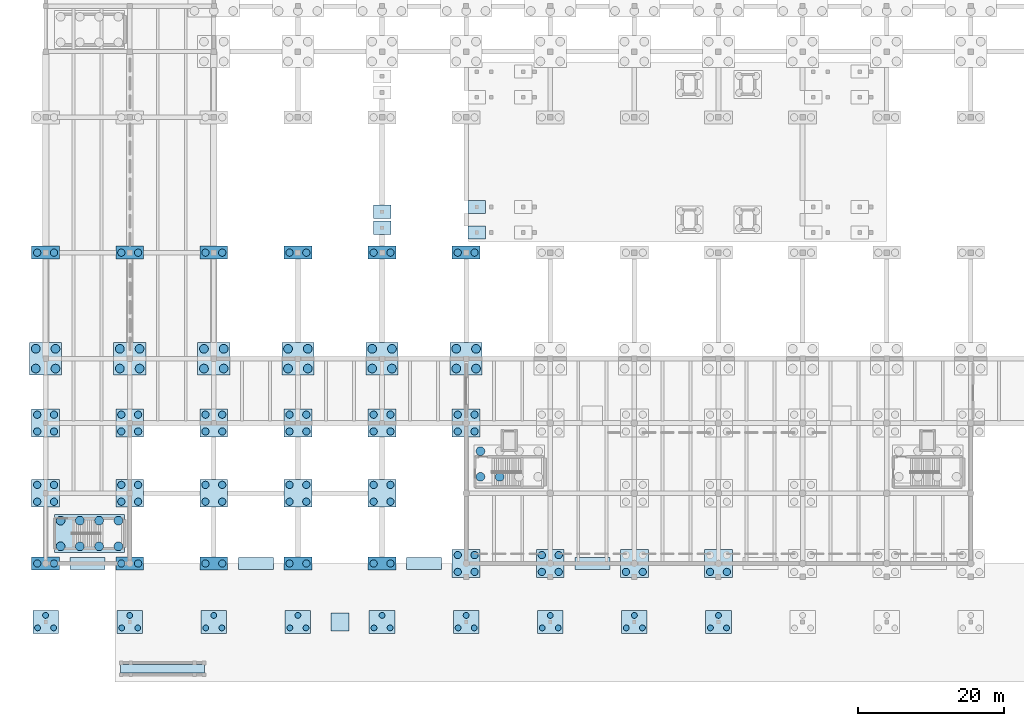
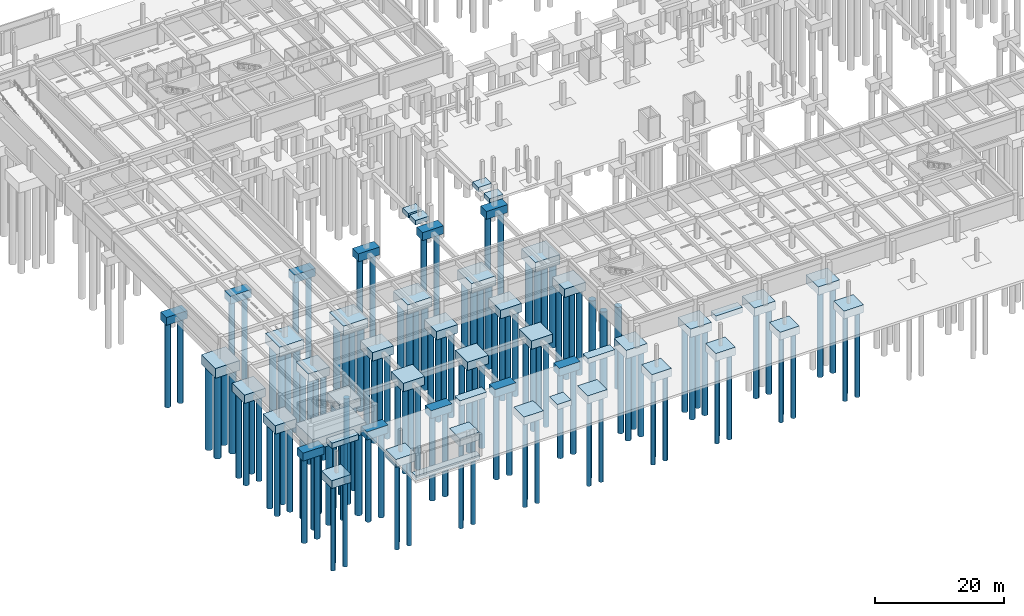
# One storey, part 1 of 28: 140 piles, 52 footings.
"""IFC4 building model written with IfcOpenShell, lengths in metres."""

from ifc_helpers import new_model, si_unit, direction, frame, origin, origin_2d, place, context, subcontext, project, spatial, rectangle, circle, extrude, material, material_profile, profile_set, type_object, element, save


model = new_model("IFC4")

# Units and contexts
model_context = context("Model", 3, precision=1e-05, world=origin(), true_north=direction((0.0, 1.0)))
body_context = subcontext(model_context, "Body", "Model", "MODEL_VIEW")
ifc_project = project(units=[si_unit("LENGTHUNIT", "METRE"), si_unit("AREAUNIT", "SQUARE_METRE"), si_unit("VOLUMEUNIT", "CUBIC_METRE"), si_unit("PLANEANGLEUNIT", "RADIAN"), si_unit("MASSUNIT", "GRAM", prefix="KILO")], contexts=[model_context])

# Site, building, storey
site_placement = place(None, origin())
site = spatial("IfcSite", under=ifc_project, at=site_placement, CompositionType="ELEMENT")
building_placement = place(site_placement, origin())
building = spatial("IfcBuilding", under=site, at=building_placement, Name="Ologun Quay Terminus", CompositionType="ELEMENT")
storey_placement = place(building_placement, frame((0.0, 0.0, -8.39990234375)))
storey = spatial("IfcBuildingStorey", under=building, at=storey_placement, Name="B02", CompositionType="ELEMENT", Elevation=-8.39990234375)

# Footings
ifc_material_1 = material(Name="Concrete C35/45", Category="concrete")
footing_type_1 = type_object("IfcFootingType", Name="Basement Retaining Strip Footing 1600x1000", PredefinedType="STRIP_FOOTING", material=ifc_material_1)
for number, where, z_axis, x_axis, name in (
    (1, (5.75, 8.0, -1.0), (0.0, 0.0, 1.0), (1.0, 0.0, 0.0), "SF3 Strip Footing Bay 1"),
    (2, (28.75, 8.0, -1.0), (0.0, 0.0, 1.0), (1.0, 0.0, 0.0), "SF3 Strip Footing Bay 3"),
    (3, (51.75, 8.0, -1.0), (0.0, 0.0, 1.0), (1.0, 0.0, 0.0), "SF3 Strip Footing Bay 5"),
    (4, (74.75, 8.0, -1.0), (0.0, 0.0, 1.0), (1.0, 0.0, 0.0), "SF3 Strip Footing Bay 7"),
):
    element("IfcFooting", number, at=place(storey_placement, frame(where, z_axis=z_axis, x_axis=x_axis)), inside=storey, type_object=footing_type_1, Name=name, PredefinedType="STRIP_FOOTING", context=body_context, shape_type="SweptSolid", body=[
        extrude(rectangle(XDim=4.800048828125, YDim=1.60009765625, at=origin_2d()), origin(), (0.0, 0.0, 1.0), 1.0),
    ])

# Piles
ifc_material_2 = material(Name="Concrete C35/45", Category="concrete")
ifc_material_profile_1 = material_profile(ifc_material_2, circle(Radius=0.5, at=origin_2d()), Name="PILE D1000")
ifc_profile_set_1 = profile_set([ifc_material_profile_1], Name="Concrete C35/45")
pile_type_1 = type_object("IfcPileType", Name="Bored Concrete Pile D1000", PredefinedType="BORED", material=ifc_profile_set_1)
for number, where, z_axis, x_axis, name in (
    (5, (-1.14990234375, 8.0, -1.400146484375), (0.0, 0.0, -1.0), (1.0, 0.0, 0.0), "P2 Pile FND-1-B-01"),
    (6, (1.14990234375, 8.0, -1.400146484375), (0.0, 0.0, -1.0), (1.0, 0.0, 0.0), "P2 Pile FND-1-B-02"),
):
    element("IfcPile", number, at=place(storey_placement, frame(where, z_axis=z_axis, x_axis=x_axis)), inside=storey, type_object=pile_type_1, Name=name, PredefinedType="BORED", context=body_context, shape_type="SweptSolid", body=[
        extrude(circle(Radius=0.5, at=origin_2d()), origin(), (0.0, 0.0, 1.0), 16.199951171875),
    ])
for number, where, z_axis, x_axis, name in (
    (7, (-1.14990234375, 16.449951171875, -1.5), (0.0, 0.0, -1.0), (1.0, 0.0, 0.0), "P2 Pile FND-1-C-01"),
    (8, (1.14990234375, 16.449951171875, -1.5), (0.0, 0.0, -1.0), (1.0, 0.0, 0.0), "P2 Pile FND-1-C-02"),
    (9, (-1.14990234375, 18.75, -1.5), (0.0, 0.0, -1.0), (1.0, 0.0, 0.0), "P2 Pile FND-1-C-03"),
    (10, (1.14990234375, 18.75, -1.5), (0.0, 0.0, -1.0), (1.0, 0.0, 0.0), "P2 Pile FND-1-C-04"),
    (11, (-1.14990234375, 26.050048828125, -1.5), (0.0, 0.0, -1.0), (1.0, 0.0, 0.0), "P2 Pile FND-1-D-01"),
    (12, (1.14990234375, 26.050048828125, -1.5), (0.0, 0.0, -1.0), (1.0, 0.0, 0.0), "P2 Pile FND-1-D-02"),
    (13, (-1.14990234375, 28.35009765625, -1.5), (0.0, 0.0, -1.0), (1.0, 0.0, 0.0), "P2 Pile FND-1-D-03"),
    (14, (1.14990234375, 28.35009765625, -1.5), (0.0, 0.0, -1.0), (1.0, 0.0, 0.0), "P2 Pile FND-1-D-04"),
):
    element("IfcPile", number, at=place(storey_placement, frame(where, z_axis=z_axis, x_axis=x_axis)), inside=storey, type_object=pile_type_1, Name=name, PredefinedType="BORED", context=body_context, shape_type="SweptSolid", body=[
        extrude(circle(Radius=0.5, at=origin_2d()), origin(), (0.0, 0.0, 1.0), 16.10009765625),
    ])
for number, where, z_axis, x_axis, name in (
    (15, (-1.14990234375, 50.5, -1.400146484375), (0.0, 0.0, -1.0), (1.0, 0.0, 0.0), "P2 Pile FND-SUB-1-Y50-01"),
    (16, (1.14990234375, 50.5, -1.400146484375), (0.0, 0.0, -1.0), (1.0, 0.0, 0.0), "P2 Pile FND-SUB-1-Y50-02"),
    (17, (10.35009765625, 8.0, -1.400146484375), (0.0, 0.0, -1.0), (1.0, 0.0, 0.0), "P2 Pile FND-2-B-01"),
    (18, (12.64990234375, 8.0, -1.400146484375), (0.0, 0.0, -1.0), (1.0, 0.0, 0.0), "P2 Pile FND-2-B-02"),
):
    element("IfcPile", number, at=place(storey_placement, frame(where, z_axis=z_axis, x_axis=x_axis)), inside=storey, type_object=pile_type_1, Name=name, PredefinedType="BORED", context=body_context, shape_type="SweptSolid", body=[
        extrude(circle(Radius=0.5, at=origin_2d()), origin(), (0.0, 0.0, 1.0), 16.199951171875),
    ])
for number, where, z_axis, x_axis, name in (
    (19, (10.35009765625, 16.449951171875, -1.5), (0.0, 0.0, -1.0), (1.0, 0.0, 0.0), "P2 Pile FND-2-C-01"),
    (20, (12.64990234375, 16.449951171875, -1.5), (0.0, 0.0, -1.0), (1.0, 0.0, 0.0), "P2 Pile FND-2-C-02"),
    (21, (10.35009765625, 18.75, -1.5), (0.0, 0.0, -1.0), (1.0, 0.0, 0.0), "P2 Pile FND-2-C-03"),
    (22, (12.64990234375, 18.75, -1.5), (0.0, 0.0, -1.0), (1.0, 0.0, 0.0), "P2 Pile FND-2-C-04"),
    (23, (10.35009765625, 26.050048828125, -1.5), (0.0, 0.0, -1.0), (1.0, 0.0, 0.0), "P2 Pile FND-2-D-01"),
    (24, (12.64990234375, 26.050048828125, -1.5), (0.0, 0.0, -1.0), (1.0, 0.0, 0.0), "P2 Pile FND-2-D-02"),
    (25, (10.35009765625, 28.35009765625, -1.5), (0.0, 0.0, -1.0), (1.0, 0.0, 0.0), "P2 Pile FND-2-D-03"),
    (26, (12.64990234375, 28.35009765625, -1.5), (0.0, 0.0, -1.0), (1.0, 0.0, 0.0), "P2 Pile FND-2-D-04"),
):
    element("IfcPile", number, at=place(storey_placement, frame(where, z_axis=z_axis, x_axis=x_axis)), inside=storey, type_object=pile_type_1, Name=name, PredefinedType="BORED", context=body_context, shape_type="SweptSolid", body=[
        extrude(circle(Radius=0.5, at=origin_2d()), origin(), (0.0, 0.0, 1.0), 16.10009765625),
    ])
for number, where, z_axis, x_axis, name in (
    (27, (10.35009765625, 50.5, -1.400146484375), (0.0, 0.0, -1.0), (1.0, 0.0, 0.0), "P2 Pile FND-SUB-2-Y50-01"),
    (28, (12.64990234375, 50.5, -1.400146484375), (0.0, 0.0, -1.0), (1.0, 0.0, 0.0), "P2 Pile FND-SUB-2-Y50-02"),
    (29, (21.85009765625, 8.0, -1.400146484375), (0.0, 0.0, -1.0), (1.0, 0.0, 0.0), "P2 Pile FND-3-B-01"),
    (30, (24.14990234375, 8.0, -1.400146484375), (0.0, 0.0, -1.0), (1.0, 0.0, 0.0), "P2 Pile FND-3-B-02"),
):
    element("IfcPile", number, at=place(storey_placement, frame(where, z_axis=z_axis, x_axis=x_axis)), inside=storey, type_object=pile_type_1, Name=name, PredefinedType="BORED", context=body_context, shape_type="SweptSolid", body=[
        extrude(circle(Radius=0.5, at=origin_2d()), origin(), (0.0, 0.0, 1.0), 16.199951171875),
    ])
for number, where, z_axis, x_axis, name in (
    (31, (21.85009765625, 16.449951171875, -1.5), (0.0, 0.0, -1.0), (1.0, 0.0, 0.0), "P2 Pile FND-3-C-01"),
    (32, (24.14990234375, 16.449951171875, -1.5), (0.0, 0.0, -1.0), (1.0, 0.0, 0.0), "P2 Pile FND-3-C-02"),
    (33, (21.85009765625, 18.75, -1.5), (0.0, 0.0, -1.0), (1.0, 0.0, 0.0), "P2 Pile FND-3-C-03"),
    (34, (24.14990234375, 18.75, -1.5), (0.0, 0.0, -1.0), (1.0, 0.0, 0.0), "P2 Pile FND-3-C-04"),
    (35, (21.85009765625, 26.050048828125, -1.5), (0.0, 0.0, -1.0), (1.0, 0.0, 0.0), "P2 Pile FND-3-D-01"),
    (36, (24.14990234375, 26.050048828125, -1.5), (0.0, 0.0, -1.0), (1.0, 0.0, 0.0), "P2 Pile FND-3-D-02"),
    (37, (21.85009765625, 28.35009765625, -1.5), (0.0, 0.0, -1.0), (1.0, 0.0, 0.0), "P2 Pile FND-3-D-03"),
    (38, (24.14990234375, 28.35009765625, -1.5), (0.0, 0.0, -1.0), (1.0, 0.0, 0.0), "P2 Pile FND-3-D-04"),
):
    element("IfcPile", number, at=place(storey_placement, frame(where, z_axis=z_axis, x_axis=x_axis)), inside=storey, type_object=pile_type_1, Name=name, PredefinedType="BORED", context=body_context, shape_type="SweptSolid", body=[
        extrude(circle(Radius=0.5, at=origin_2d()), origin(), (0.0, 0.0, 1.0), 16.10009765625),
    ])
for number, where, z_axis, x_axis, name in (
    (39, (21.85009765625, 50.5, -1.400146484375), (0.0, 0.0, -1.0), (1.0, 0.0, 0.0), "P2 Pile FND-SUB-3-Y50-01"),
    (40, (24.14990234375, 50.5, -1.400146484375), (0.0, 0.0, -1.0), (1.0, 0.0, 0.0), "P2 Pile FND-SUB-3-Y50-02"),
    (41, (33.35009765625, 8.0, -1.400146484375), (0.0, 0.0, -1.0), (1.0, 0.0, 0.0), "P2 Pile FND-4-B-01"),
    (42, (35.64990234375, 8.0, -1.400146484375), (0.0, 0.0, -1.0), (1.0, 0.0, 0.0), "P2 Pile FND-4-B-02"),
):
    element("IfcPile", number, at=place(storey_placement, frame(where, z_axis=z_axis, x_axis=x_axis)), inside=storey, type_object=pile_type_1, Name=name, PredefinedType="BORED", context=body_context, shape_type="SweptSolid", body=[
        extrude(circle(Radius=0.5, at=origin_2d()), origin(), (0.0, 0.0, 1.0), 16.199951171875),
    ])
for number, where, z_axis, x_axis, name in (
    (43, (33.35009765625, 16.449951171875, -1.5), (0.0, 0.0, -1.0), (1.0, 0.0, 0.0), "P2 Pile FND-4-C-01"),
    (44, (35.64990234375, 16.449951171875, -1.5), (0.0, 0.0, -1.0), (1.0, 0.0, 0.0), "P2 Pile FND-4-C-02"),
    (45, (33.35009765625, 18.75, -1.5), (0.0, 0.0, -1.0), (1.0, 0.0, 0.0), "P2 Pile FND-4-C-03"),
    (46, (35.64990234375, 18.75, -1.5), (0.0, 0.0, -1.0), (1.0, 0.0, 0.0), "P2 Pile FND-4-C-04"),
    (47, (33.35009765625, 26.050048828125, -1.5), (0.0, 0.0, -1.0), (1.0, 0.0, 0.0), "P2 Pile FND-4-D-01"),
    (48, (35.64990234375, 26.050048828125, -1.5), (0.0, 0.0, -1.0), (1.0, 0.0, 0.0), "P2 Pile FND-4-D-02"),
    (49, (33.35009765625, 28.35009765625, -1.5), (0.0, 0.0, -1.0), (1.0, 0.0, 0.0), "P2 Pile FND-4-D-03"),
    (50, (35.64990234375, 28.35009765625, -1.5), (0.0, 0.0, -1.0), (1.0, 0.0, 0.0), "P2 Pile FND-4-D-04"),
):
    element("IfcPile", number, at=place(storey_placement, frame(where, z_axis=z_axis, x_axis=x_axis)), inside=storey, type_object=pile_type_1, Name=name, PredefinedType="BORED", context=body_context, shape_type="SweptSolid", body=[
        extrude(circle(Radius=0.5, at=origin_2d()), origin(), (0.0, 0.0, 1.0), 16.10009765625),
    ])
for number, where, z_axis, x_axis, name in (
    (51, (33.35009765625, 50.5, -1.400146484375), (0.0, 0.0, -1.0), (1.0, 0.0, 0.0), "P2 Pile FND-SUB-4-Y50-01"),
    (52, (35.64990234375, 50.5, -1.400146484375), (0.0, 0.0, -1.0), (1.0, 0.0, 0.0), "P2 Pile FND-SUB-4-Y50-02"),
    (53, (44.85009765625, 8.0, -1.400146484375), (0.0, 0.0, -1.0), (1.0, 0.0, 0.0), "P2 Pile FND-5-B-01"),
    (54, (47.14990234375, 8.0, -1.400146484375), (0.0, 0.0, -1.0), (1.0, 0.0, 0.0), "P2 Pile FND-5-B-02"),
):
    element("IfcPile", number, at=place(storey_placement, frame(where, z_axis=z_axis, x_axis=x_axis)), inside=storey, type_object=pile_type_1, Name=name, PredefinedType="BORED", context=body_context, shape_type="SweptSolid", body=[
        extrude(circle(Radius=0.5, at=origin_2d()), origin(), (0.0, 0.0, 1.0), 16.199951171875),
    ])
for number, where, z_axis, x_axis, name in (
    (55, (44.85009765625, 16.449951171875, -1.5), (0.0, 0.0, -1.0), (1.0, 0.0, 0.0), "P2 Pile FND-5-C-01"),
    (56, (47.14990234375, 16.449951171875, -1.5), (0.0, 0.0, -1.0), (1.0, 0.0, 0.0), "P2 Pile FND-5-C-02"),
    (57, (44.85009765625, 18.75, -1.5), (0.0, 0.0, -1.0), (1.0, 0.0, 0.0), "P2 Pile FND-5-C-03"),
    (58, (47.14990234375, 18.75, -1.5), (0.0, 0.0, -1.0), (1.0, 0.0, 0.0), "P2 Pile FND-5-C-04"),
    (59, (44.85009765625, 26.050048828125, -1.5), (0.0, 0.0, -1.0), (1.0, 0.0, 0.0), "P2 Pile FND-5-D-01"),
    (60, (47.14990234375, 26.050048828125, -1.5), (0.0, 0.0, -1.0), (1.0, 0.0, 0.0), "P2 Pile FND-5-D-02"),
    (61, (44.85009765625, 28.35009765625, -1.5), (0.0, 0.0, -1.0), (1.0, 0.0, 0.0), "P2 Pile FND-5-D-03"),
    (62, (47.14990234375, 28.35009765625, -1.5), (0.0, 0.0, -1.0), (1.0, 0.0, 0.0), "P2 Pile FND-5-D-04"),
):
    element("IfcPile", number, at=place(storey_placement, frame(where, z_axis=z_axis, x_axis=x_axis)), inside=storey, type_object=pile_type_1, Name=name, PredefinedType="BORED", context=body_context, shape_type="SweptSolid", body=[
        extrude(circle(Radius=0.5, at=origin_2d()), origin(), (0.0, 0.0, 1.0), 16.10009765625),
    ])
for number, where, z_axis, x_axis, name in (
    (63, (44.85009765625, 50.5, -1.400146484375), (0.0, 0.0, -1.0), (1.0, 0.0, 0.0), "P2 Pile FND-SUB-5-Y50-01"),
    (64, (47.14990234375, 50.5, -1.400146484375), (0.0, 0.0, -1.0), (1.0, 0.0, 0.0), "P2 Pile FND-SUB-5-Y50-02"),
):
    element("IfcPile", number, at=place(storey_placement, frame(where, z_axis=z_axis, x_axis=x_axis)), inside=storey, type_object=pile_type_1, Name=name, PredefinedType="BORED", context=body_context, shape_type="SweptSolid", body=[
        extrude(circle(Radius=0.5, at=origin_2d()), origin(), (0.0, 0.0, 1.0), 16.199951171875),
    ])
for number, where, z_axis, x_axis, name in (
    (65, (56.35009765625, 6.85009765625, -1.5), (0.0, 0.0, -1.0), (1.0, 0.0, 0.0), "P2 Pile FND-6-B-01"),
    (66, (58.64990234375, 6.85009765625, -1.5), (0.0, 0.0, -1.0), (1.0, 0.0, 0.0), "P2 Pile FND-6-B-02"),
    (67, (56.35009765625, 9.14990234375, -1.5), (0.0, 0.0, -1.0), (1.0, 0.0, 0.0), "P2 Pile FND-6-B-03"),
    (68, (58.64990234375, 9.14990234375, -1.5), (0.0, 0.0, -1.0), (1.0, 0.0, 0.0), "P2 Pile FND-6-B-04"),
    (69, (56.35009765625, 26.050048828125, -1.5), (0.0, 0.0, -1.0), (1.0, 0.0, 0.0), "P2 Pile FND-6-D-01"),
    (70, (58.64990234375, 26.050048828125, -1.5), (0.0, 0.0, -1.0), (1.0, 0.0, 0.0), "P2 Pile FND-6-D-02"),
    (71, (56.35009765625, 28.35009765625, -1.5), (0.0, 0.0, -1.0), (1.0, 0.0, 0.0), "P2 Pile FND-6-D-03"),
    (72, (58.64990234375, 28.35009765625, -1.5), (0.0, 0.0, -1.0), (1.0, 0.0, 0.0), "P2 Pile FND-6-D-04"),
):
    element("IfcPile", number, at=place(storey_placement, frame(where, z_axis=z_axis, x_axis=x_axis)), inside=storey, type_object=pile_type_1, Name=name, PredefinedType="BORED", context=body_context, shape_type="SweptSolid", body=[
        extrude(circle(Radius=0.5, at=origin_2d()), origin(), (0.0, 0.0, 1.0), 16.10009765625),
    ])
for number, where, z_axis, x_axis, name in (
    (73, (56.35009765625, 50.5, -1.400146484375), (0.0, 0.0, -1.0), (1.0, 0.0, 0.0), "P2 Pile FND-SUB-6-Y50-01"),
    (74, (58.64990234375, 50.5, -1.400146484375), (0.0, 0.0, -1.0), (1.0, 0.0, 0.0), "P2 Pile FND-SUB-6-Y50-02"),
):
    element("IfcPile", number, at=place(storey_placement, frame(where, z_axis=z_axis, x_axis=x_axis)), inside=storey, type_object=pile_type_1, Name=name, PredefinedType="BORED", context=body_context, shape_type="SweptSolid", body=[
        extrude(circle(Radius=0.5, at=origin_2d()), origin(), (0.0, 0.0, 1.0), 16.199951171875),
    ])
for number, where, z_axis, x_axis, name in (
    (75, (67.85009765625, 6.85009765625, -1.5), (0.0, 0.0, -1.0), (1.0, 0.0, 0.0), "P2 Pile FND-7-B-01"),
    (76, (70.14990234375, 6.85009765625, -1.5), (0.0, 0.0, -1.0), (1.0, 0.0, 0.0), "P2 Pile FND-7-B-02"),
    (77, (67.85009765625, 9.14990234375, -1.5), (0.0, 0.0, -1.0), (1.0, 0.0, 0.0), "P2 Pile FND-7-B-03"),
    (78, (70.14990234375, 9.14990234375, -1.5), (0.0, 0.0, -1.0), (1.0, 0.0, 0.0), "P2 Pile FND-7-B-04"),
    (79, (79.35009765625, 6.85009765625, -1.5), (0.0, 0.0, -1.0), (1.0, 0.0, 0.0), "P2 Pile FND-8-B-01"),
    (80, (81.64990234375, 6.85009765625, -1.5), (0.0, 0.0, -1.0), (1.0, 0.0, 0.0), "P2 Pile FND-8-B-02"),
    (81, (90.85009765625, 6.85009765625, -1.5), (0.0, 0.0, -1.0), (1.0, 0.0, 0.0), "P2 Pile FND-9-B-01"),
    (82, (93.14990234375, 6.85009765625, -1.5), (0.0, 0.0, -1.0), (1.0, 0.0, 0.0), "P2 Pile FND-9-B-02"),
):
    element("IfcPile", number, at=place(storey_placement, frame(where, z_axis=z_axis, x_axis=x_axis)), inside=storey, type_object=pile_type_1, Name=name, PredefinedType="BORED", context=body_context, shape_type="SweptSolid", body=[
        extrude(circle(Radius=0.5, at=origin_2d()), origin(), (0.0, 0.0, 1.0), 16.10009765625),
    ])
ifc_material_3 = material(Name="Concrete C35/45", Category="concrete")
ifc_material_profile_2 = material_profile(ifc_material_3, circle(Radius=0.60009765625, at=origin_2d()), Name="PILE D1200")
ifc_profile_set_2 = profile_set([ifc_material_profile_2], Name="Concrete C35/45")
pile_type_2 = type_object("IfcPileType", Name="Bored Concrete Pile D1200", PredefinedType="BORED", material=ifc_profile_set_2)
for number, where, z_axis, x_axis, name in (
    (83, (2.050048828125, 10.35009765625, -2.0), (0.0, 0.0, -1.0), (1.0, 0.0, 0.0), "P1 Pile FND-SCAP-1-01"),
    (84, (4.683349609375, 10.35009765625, -2.0), (0.0, 0.0, -1.0), (1.0, 0.0, 0.0), "P1 Pile FND-SCAP-1-02"),
    (85, (7.316650390625, 10.35009765625, -2.0), (0.0, 0.0, -1.0), (1.0, 0.0, 0.0), "P1 Pile FND-SCAP-1-03"),
    (86, (9.949951171875, 10.35009765625, -2.0), (0.0, 0.0, -1.0), (1.0, 0.0, 0.0), "P1 Pile FND-SCAP-1-04"),
    (87, (2.050048828125, 13.85009765625, -2.0), (0.0, 0.0, -1.0), (1.0, 0.0, 0.0), "P1 Pile FND-SCAP-1-05"),
    (88, (4.683349609375, 13.85009765625, -2.0), (0.0, 0.0, -1.0), (1.0, 0.0, 0.0), "P1 Pile FND-SCAP-1-06"),
    (89, (7.316650390625, 13.85009765625, -2.0), (0.0, 0.0, -1.0), (1.0, 0.0, 0.0), "P1 Pile FND-SCAP-1-07"),
    (90, (9.949951171875, 13.85009765625, -2.0), (0.0, 0.0, -1.0), (1.0, 0.0, 0.0), "P1 Pile FND-SCAP-1-08"),
    (91, (59.449951171875, 19.85009765625, -2.0), (0.0, 0.0, -1.0), (1.0, 0.0, 0.0), "P1 Pile FND-SCAP-3-01"),
    (92, (62.083251953125, 19.85009765625, -2.0), (0.0, 0.0, -1.0), (1.0, 0.0, 0.0), "P1 Pile FND-SCAP-3-02"),
    (93, (59.449951171875, 23.35009765625, -2.0), (0.0, 0.0, -1.0), (1.0, 0.0, 0.0), "P1 Pile FND-SCAP-3-05"),
):
    element("IfcPile", number, at=place(storey_placement, frame(where, z_axis=z_axis, x_axis=x_axis)), inside=storey, type_object=pile_type_2, Name=name, PredefinedType="BORED", context=body_context, shape_type="SweptSolid", body=[
        extrude(circle(Radius=0.60009765625, at=origin_2d()), origin(), (0.0, 0.0, 1.0), 15.60009765625),
    ])
for number, where, z_axis, x_axis, name in (
    (94, (-1.35009765625, 34.64990234375, -1.75), (0.0, 0.0, -1.0), (1.0, 0.0, 0.0), "P1 Pile FND-1-E-01"),
    (95, (1.35009765625, 34.64990234375, -1.75), (0.0, 0.0, -1.0), (1.0, 0.0, 0.0), "P1 Pile FND-1-E-02"),
    (96, (-1.35009765625, 37.35009765625, -1.75), (0.0, 0.0, -1.0), (1.0, 0.0, 0.0), "P1 Pile FND-1-E-03"),
    (97, (1.35009765625, 37.35009765625, -1.75), (0.0, 0.0, -1.0), (1.0, 0.0, 0.0), "P1 Pile FND-1-E-04"),
    (98, (10.14990234375, 34.64990234375, -1.75), (0.0, 0.0, -1.0), (1.0, 0.0, 0.0), "P1 Pile FND-2-E-01"),
    (99, (12.85009765625, 34.64990234375, -1.75), (0.0, 0.0, -1.0), (1.0, 0.0, 0.0), "P1 Pile FND-2-E-02"),
    (100, (10.14990234375, 37.35009765625, -1.75), (0.0, 0.0, -1.0), (1.0, 0.0, 0.0), "P1 Pile FND-2-E-03"),
    (101, (12.85009765625, 37.35009765625, -1.75), (0.0, 0.0, -1.0), (1.0, 0.0, 0.0), "P1 Pile FND-2-E-04"),
    (102, (21.64990234375, 34.64990234375, -1.75), (0.0, 0.0, -1.0), (1.0, 0.0, 0.0), "P1 Pile FND-3-E-01"),
    (103, (24.35009765625, 34.64990234375, -1.75), (0.0, 0.0, -1.0), (1.0, 0.0, 0.0), "P1 Pile FND-3-E-02"),
    (104, (21.64990234375, 37.35009765625, -1.75), (0.0, 0.0, -1.0), (1.0, 0.0, 0.0), "P1 Pile FND-3-E-03"),
    (105, (24.35009765625, 37.35009765625, -1.75), (0.0, 0.0, -1.0), (1.0, 0.0, 0.0), "P1 Pile FND-3-E-04"),
    (106, (33.14990234375, 34.64990234375, -1.75), (0.0, 0.0, -1.0), (1.0, 0.0, 0.0), "P1 Pile FND-4-E-01"),
    (107, (35.85009765625, 34.64990234375, -1.75), (0.0, 0.0, -1.0), (1.0, 0.0, 0.0), "P1 Pile FND-4-E-02"),
    (108, (33.14990234375, 37.35009765625, -1.75), (0.0, 0.0, -1.0), (1.0, 0.0, 0.0), "P1 Pile FND-4-E-03"),
    (109, (35.85009765625, 37.35009765625, -1.75), (0.0, 0.0, -1.0), (1.0, 0.0, 0.0), "P1 Pile FND-4-E-04"),
    (110, (44.64990234375, 34.64990234375, -1.75), (0.0, 0.0, -1.0), (1.0, 0.0, 0.0), "P1 Pile FND-5-E-01"),
    (111, (47.35009765625, 34.64990234375, -1.75), (0.0, 0.0, -1.0), (1.0, 0.0, 0.0), "P1 Pile FND-5-E-02"),
    (112, (44.64990234375, 37.35009765625, -1.75), (0.0, 0.0, -1.0), (1.0, 0.0, 0.0), "P1 Pile FND-5-E-03"),
    (113, (47.35009765625, 37.35009765625, -1.75), (0.0, 0.0, -1.0), (1.0, 0.0, 0.0), "P1 Pile FND-5-E-04"),
    (114, (56.14990234375, 34.64990234375, -1.75), (0.0, 0.0, -1.0), (1.0, 0.0, 0.0), "P1 Pile FND-6-E-01"),
    (115, (58.85009765625, 34.64990234375, -1.75), (0.0, 0.0, -1.0), (1.0, 0.0, 0.0), "P1 Pile FND-6-E-02"),
    (116, (56.14990234375, 37.35009765625, -1.75), (0.0, 0.0, -1.0), (1.0, 0.0, 0.0), "P1 Pile FND-6-E-03"),
    (117, (58.85009765625, 37.35009765625, -1.75), (0.0, 0.0, -1.0), (1.0, 0.0, 0.0), "P1 Pile FND-6-E-04"),
):
    element("IfcPile", number, at=place(storey_placement, frame(where, z_axis=z_axis, x_axis=x_axis)), inside=storey, type_object=pile_type_2, Name=name, PredefinedType="BORED", context=body_context, shape_type="SweptSolid", body=[
        extrude(circle(Radius=0.60009765625, at=origin_2d()), origin(), (0.0, 0.0, 1.0), 15.85009765625),
    ])
ifc_material_4 = material(Name="Concrete C35/45", Category="concrete")
ifc_material_profile_3 = material_profile(ifc_material_4, circle(Radius=0.39990234375, at=origin_2d()), Name="PILE D800")
ifc_profile_set_3 = profile_set([ifc_material_profile_3], Name="Concrete C35/45")
pile_type_3 = type_object("IfcPileType", Name="Bored Concrete Pile D800", PredefinedType="BORED", material=ifc_profile_set_3)
for number, where, z_axis, x_axis, name in (
    (118, (-1.10009765625, -0.8076171875, -1.400146484375), (0.0, 0.0, -1.0), (1.0, 0.0, 0.0), "P3 Pile FND-1-A-01"),
    (119, (1.10009765625, -0.8076171875, -1.400146484375), (0.0, 0.0, -1.0), (1.0, 0.0, 0.0), "P3 Pile FND-1-A-02"),
    (120, (0.0, 0.902587890625, -1.400146484375), (0.0, 0.0, -1.0), (1.0, 0.0, 0.0), "P3 Pile FND-1-A-03"),
    (121, (10.39990234375, -0.8076171875, -1.400146484375), (0.0, 0.0, -1.0), (1.0, 0.0, 0.0), "P3 Pile FND-2-A-01"),
    (122, (12.60009765625, -0.8076171875, -1.400146484375), (0.0, 0.0, -1.0), (1.0, 0.0, 0.0), "P3 Pile FND-2-A-02"),
    (123, (11.5, 0.902587890625, -1.400146484375), (0.0, 0.0, -1.0), (1.0, 0.0, 0.0), "P3 Pile FND-2-A-03"),
    (124, (21.89990234375, -0.8076171875, -1.400146484375), (0.0, 0.0, -1.0), (1.0, 0.0, 0.0), "P3 Pile FND-3-A-01"),
    (125, (24.10009765625, -0.8076171875, -1.400146484375), (0.0, 0.0, -1.0), (1.0, 0.0, 0.0), "P3 Pile FND-3-A-02"),
    (126, (23.0, 0.902587890625, -1.400146484375), (0.0, 0.0, -1.0), (1.0, 0.0, 0.0), "P3 Pile FND-3-A-03"),
    (127, (33.39990234375, -0.8076171875, -1.400146484375), (0.0, 0.0, -1.0), (1.0, 0.0, 0.0), "P3 Pile FND-4-A-01"),
    (128, (35.60009765625, -0.8076171875, -1.400146484375), (0.0, 0.0, -1.0), (1.0, 0.0, 0.0), "P3 Pile FND-4-A-02"),
    (129, (34.5, 0.902587890625, -1.400146484375), (0.0, 0.0, -1.0), (1.0, 0.0, 0.0), "P3 Pile FND-4-A-03"),
    (130, (44.89990234375, -0.8076171875, -1.400146484375), (0.0, 0.0, -1.0), (1.0, 0.0, 0.0), "P3 Pile FND-5-A-01"),
    (131, (47.10009765625, -0.8076171875, -1.400146484375), (0.0, 0.0, -1.0), (1.0, 0.0, 0.0), "P3 Pile FND-5-A-02"),
    (132, (46.0, 0.902587890625, -1.400146484375), (0.0, 0.0, -1.0), (1.0, 0.0, 0.0), "P3 Pile FND-5-A-03"),
    (133, (56.39990234375, -0.8076171875, -1.400146484375), (0.0, 0.0, -1.0), (1.0, 0.0, 0.0), "P3 Pile FND-6-A-01"),
    (134, (58.60009765625, -0.8076171875, -1.400146484375), (0.0, 0.0, -1.0), (1.0, 0.0, 0.0), "P3 Pile FND-6-A-02"),
    (135, (57.5, 0.902587890625, -1.400146484375), (0.0, 0.0, -1.0), (1.0, 0.0, 0.0), "P3 Pile FND-6-A-03"),
    (136, (67.89990234375, -0.8076171875, -1.400146484375), (0.0, 0.0, -1.0), (1.0, 0.0, 0.0), "P3 Pile FND-7-A-01"),
    (137, (70.10009765625, -0.8076171875, -1.400146484375), (0.0, 0.0, -1.0), (1.0, 0.0, 0.0), "P3 Pile FND-7-A-02"),
    (138, (69.0, 0.902587890625, -1.400146484375), (0.0, 0.0, -1.0), (1.0, 0.0, 0.0), "P3 Pile FND-7-A-03"),
    (139, (79.39990234375, -0.8076171875, -1.400146484375), (0.0, 0.0, -1.0), (1.0, 0.0, 0.0), "P3 Pile FND-8-A-01"),
    (140, (81.60009765625, -0.8076171875, -1.400146484375), (0.0, 0.0, -1.0), (1.0, 0.0, 0.0), "P3 Pile FND-8-A-02"),
    (141, (80.5, 0.902587890625, -1.400146484375), (0.0, 0.0, -1.0), (1.0, 0.0, 0.0), "P3 Pile FND-8-A-03"),
    (142, (90.89990234375, -0.8076171875, -1.400146484375), (0.0, 0.0, -1.0), (1.0, 0.0, 0.0), "P3 Pile FND-9-A-01"),
    (143, (93.10009765625, -0.8076171875, -1.400146484375), (0.0, 0.0, -1.0), (1.0, 0.0, 0.0), "P3 Pile FND-9-A-02"),
    (144, (92.0, 0.902587890625, -1.400146484375), (0.0, 0.0, -1.0), (1.0, 0.0, 0.0), "P3 Pile FND-9-A-03"),
):
    element("IfcPile", number, at=place(storey_placement, frame(where, z_axis=z_axis, x_axis=x_axis)), inside=storey, type_object=pile_type_3, Name=name, PredefinedType="BORED", context=body_context, shape_type="SweptSolid", body=[
        extrude(circle(Radius=0.39990234375, at=origin_2d()), origin(), (0.0, 0.0, 1.0), 16.199951171875),
    ])

# Footings
ifc_material_5 = material(Name="Concrete C35/45", Category="concrete")
footing_type_2 = type_object("IfcFootingType", Name="Eight-Pile Core Mat Cap 9600x5200x2100", PredefinedType="PILE_CAP", material=ifc_material_5)
footing_1_placement = place(storey_placement, frame((6.0, 12.10009765625, -2.10009765625), z_axis=(0.0, 0.0, 1.0), x_axis=(1.0, 0.0, 0.0)))
element("IfcFooting", 145, at=footing_1_placement, inside=storey, type_object=footing_type_2, Name="PC7 Footing 1/B", PredefinedType="PILE_CAP", context=body_context, shape_type="SweptSolid", body=[
    extrude(rectangle(XDim=9.60009765625, YDim=5.199951171875, at=origin_2d()), origin(), (0.0, 0.0, 1.0), 2.10009765625),
])
ifc_material_6 = material(Name="Concrete C35/45", Category="concrete")
footing_type_3 = type_object("IfcFootingType", Name="Forecourt Canopy Pad Footing 2500x2500x1000", PredefinedType="PAD_FOOTING", material=ifc_material_6)
footing_2_placement = place(storey_placement, frame((40.25, 0.0, -1.0), z_axis=(0.0, 0.0, 1.0), x_axis=(1.0, 0.0, 0.0)))
element("IfcFooting", 146, at=footing_2_placement, inside=storey, type_object=footing_type_3, Name="PF2 Footing 4/A", PredefinedType="PAD_FOOTING", context=body_context, shape_type="SweptSolid", body=[
    extrude(rectangle(XDim=2.5, YDim=2.5, at=origin_2d()), origin(), (0.0, 0.0, 1.0), 1.0),
])
ifc_material_7 = material(Name="Concrete C35/45", Category="concrete")
footing_type_4 = type_object("IfcFootingType", Name="Four-Pile Arch Thrust Cap 4400x4400x1850", PredefinedType="PILE_CAP", material=ifc_material_7)
for number, where, z_axis, x_axis, name in (
    (147, (0.0, 36.0, -1.85009765625), (0.0, 0.0, 1.0), (1.0, 0.0, 0.0), "PC3 Footing 1/E"),
    (148, (11.5, 36.0, -1.85009765625), (0.0, 0.0, 1.0), (1.0, 0.0, 0.0), "PC3 Footing 2/E"),
    (149, (23.0, 36.0, -1.85009765625), (0.0, 0.0, 1.0), (1.0, 0.0, 0.0), "PC3 Footing 3/E"),
    (150, (34.5, 36.0, -1.85009765625), (0.0, 0.0, 1.0), (1.0, 0.0, 0.0), "PC3 Footing 4/E"),
    (151, (46.0, 36.0, -1.85009765625), (0.0, 0.0, 1.0), (1.0, 0.0, 0.0), "PC3 Footing 5/E"),
    (152, (57.5, 36.0, -1.85009765625), (0.0, 0.0, 1.0), (1.0, 0.0, 0.0), "PC3 Footing 6/E"),
):
    element("IfcFooting", number, at=place(storey_placement, frame(where, z_axis=z_axis, x_axis=x_axis)), inside=storey, type_object=footing_type_4, Name=name, PredefinedType="PILE_CAP", context=body_context, shape_type="SweptSolid", body=[
        extrude(rectangle(XDim=4.39990234375, YDim=4.39990234375, at=origin_2d()), origin(), (0.0, 0.0, 1.0), 1.85009765625),
    ])
ifc_material_8 = material(Name="Concrete C35/45", Category="concrete")
footing_type_5 = type_object("IfcFootingType", Name="Four-Pile Station Cap 3800x3800x1600", PredefinedType="PILE_CAP", material=ifc_material_8)
for number, where, z_axis, x_axis, name in (
    (153, (0.0, 17.60009765625, -1.60009765625), (0.0, 0.0, 1.0), (1.0, 0.0, 0.0), "PC4 Footing 1/C"),
    (154, (0.0, 27.199951171875, -1.60009765625), (0.0, 0.0, 1.0), (1.0, 0.0, 0.0), "PC4 Footing 1/D"),
    (155, (11.5, 17.60009765625, -1.60009765625), (0.0, 0.0, 1.0), (1.0, 0.0, 0.0), "PC4 Footing 2/C"),
    (156, (11.5, 27.199951171875, -1.60009765625), (0.0, 0.0, 1.0), (1.0, 0.0, 0.0), "PC4 Footing 2/D"),
    (157, (23.0, 17.60009765625, -1.60009765625), (0.0, 0.0, 1.0), (1.0, 0.0, 0.0), "PC4 Footing 3/C"),
    (158, (23.0, 27.199951171875, -1.60009765625), (0.0, 0.0, 1.0), (1.0, 0.0, 0.0), "PC4 Footing 3/D"),
    (159, (34.5, 17.60009765625, -1.60009765625), (0.0, 0.0, 1.0), (1.0, 0.0, 0.0), "PC4 Footing 4/C"),
    (160, (34.5, 27.199951171875, -1.60009765625), (0.0, 0.0, 1.0), (1.0, 0.0, 0.0), "PC4 Footing 4/D"),
    (161, (46.0, 17.60009765625, -1.60009765625), (0.0, 0.0, 1.0), (1.0, 0.0, 0.0), "PC4 Footing 5/C"),
    (162, (46.0, 27.199951171875, -1.60009765625), (0.0, 0.0, 1.0), (1.0, 0.0, 0.0), "PC4 Footing 5/D"),
    (163, (57.5, 8.0, -1.60009765625), (0.0, 0.0, 1.0), (1.0, 0.0, 0.0), "PC4 Footing 6/B"),
    (164, (57.5, 27.199951171875, -1.60009765625), (0.0, 0.0, 1.0), (1.0, 0.0, 0.0), "PC4 Footing 6/D"),
    (165, (69.0, 8.0, -1.60009765625), (0.0, 0.0, 1.0), (1.0, 0.0, 0.0), "PC4 Footing 7/B"),
    (166, (80.5, 8.0, -1.60009765625), (0.0, 0.0, 1.0), (1.0, 0.0, 0.0), "PC4 Footing 8/B"),
    (167, (92.0, 8.0, -1.60009765625), (0.0, 0.0, 1.0), (1.0, 0.0, 0.0), "PC4 Footing 9/B"),
):
    element("IfcFooting", number, at=place(storey_placement, frame(where, z_axis=z_axis, x_axis=x_axis)), inside=storey, type_object=footing_type_5, Name=name, PredefinedType="PILE_CAP", context=body_context, shape_type="SweptSolid", body=[
        extrude(rectangle(XDim=3.800048828125, YDim=3.800048828125, at=origin_2d()), origin(), (0.0, 0.0, 1.0), 1.60009765625),
    ])
ifc_material_9 = material(Name="Concrete C35/45", Category="concrete")
footing_type_6 = type_object("IfcFootingType", Name="Platform Stair Pad Footing 2400x1800x850", PredefinedType="PAD_FOOTING", material=ifc_material_9)
for number, where, z_axis, x_axis, name in (
    (168, (46.0, 53.89990234375, -0.85009765625), (0.0, 0.0, 1.0), (1.0, 0.0, 0.0), "PF4 Footing 5/E"),
    (169, (46.0, 56.10009765625, -0.85009765625), (0.0, 0.0, 1.0), (1.0, 0.0, 0.0), "PF4 Footing 5/E"),
    (170, (58.949951171875, 53.25, -0.85009765625), (0.0, 0.0, 1.0), (1.0, 0.0, 0.0), "PF4 Footing 6/E"),
    (171, (58.949951171875, 56.75, -0.85009765625), (0.0, 0.0, 1.0), (1.0, 0.0, 0.0), "PF4 Footing 6/E"),
):
    element("IfcFooting", number, at=place(storey_placement, frame(where, z_axis=z_axis, x_axis=x_axis)), inside=storey, type_object=footing_type_6, Name=name, PredefinedType="PAD_FOOTING", context=body_context, shape_type="SweptSolid", body=[
        extrude(rectangle(XDim=2.39990234375, YDim=1.800048828125, at=origin_2d()), origin(), (0.0, 0.0, 1.0), 0.85009765625),
    ])
ifc_material_10 = material(Name="Concrete C35/45", Category="concrete")
footing_type_7 = type_object("IfcFootingType", Name="Platform Wall Strip Footing 1200x800", PredefinedType="STRIP_FOOTING", material=ifc_material_10)
footing_3_placement = place(storey_placement, frame((16.0, -6.39990234375, -0.80029296875), z_axis=(0.0, 0.0, 1.0), x_axis=(1.0, 0.0, 0.0)))
element("IfcFooting", 172, at=footing_3_placement, inside=storey, type_object=footing_type_7, Name="SF2 Footing 2/A", PredefinedType="STRIP_FOOTING", context=body_context, shape_type="SweptSolid", body=[
    extrude(rectangle(XDim=11.5, YDim=1.199951171875, at=origin_2d()), origin(), (0.0, 0.0, 1.0), 0.800048828125),
])
ifc_material_11 = material(Name="Concrete C35/45", Category="concrete")
footing_type_8 = type_object("IfcFootingType", Name="Three-Pile Canopy Edge Cap 3500x3200x1500", PredefinedType="PILE_CAP", material=ifc_material_11)
for number, where, z_axis, x_axis, name in (
    (173, (0.0, 0.0, -1.5), (0.0, 0.0, 1.0), (1.0, 0.0, 0.0), "PC10 Footing 1/A"),
    (174, (11.5, 0.0, -1.5), (0.0, 0.0, 1.0), (1.0, 0.0, 0.0), "PC10 Footing 2/A"),
    (175, (23.0, 0.0, -1.5), (0.0, 0.0, 1.0), (1.0, 0.0, 0.0), "PC10 Footing 3/A"),
    (176, (34.5, 0.0, -1.5), (0.0, 0.0, 1.0), (1.0, 0.0, 0.0), "PC10 Footing 4/A"),
    (177, (46.0, 0.0, -1.5), (0.0, 0.0, 1.0), (1.0, 0.0, 0.0), "PC10 Footing 5/A"),
    (178, (57.5, 0.0, -1.5), (0.0, 0.0, 1.0), (1.0, 0.0, 0.0), "PC10 Footing 6/A"),
    (179, (69.0, 0.0, -1.5), (0.0, 0.0, 1.0), (1.0, 0.0, 0.0), "PC10 Footing 7/A"),
    (180, (80.5, 0.0, -1.5), (0.0, 0.0, 1.0), (1.0, 0.0, 0.0), "PC10 Footing 8/A"),
    (181, (92.0, 0.0, -1.5), (0.0, 0.0, 1.0), (1.0, 0.0, 0.0), "PC10 Footing 9/A"),
):
    element("IfcFooting", number, at=place(storey_placement, frame(where, z_axis=z_axis, x_axis=x_axis)), inside=storey, type_object=footing_type_8, Name=name, PredefinedType="PILE_CAP", context=body_context, shape_type="SweptSolid", body=[
        extrude(rectangle(XDim=3.5, YDim=3.199951171875, at=origin_2d()), origin(), (0.0, 0.0, 1.0), 1.5),
    ])
ifc_material_12 = material(Name="Concrete C35/45", Category="concrete")
footing_type_9 = type_object("IfcFootingType", Name="Two-Pile Podium Cap 3800x1800x1500", PredefinedType="PILE_CAP", material=ifc_material_12)
for number, where, z_axis, x_axis, name in (
    (182, (0.0, 8.0, -1.5), (0.0, 0.0, 1.0), (1.0, 0.0, 0.0), "PC5 Footing 1/B"),
    (183, (0.0, 50.5, -1.5), (0.0, 0.0, 1.0), (1.0, 0.0, 0.0), "PC5 Footing 1/E"),
    (184, (11.5, 8.0, -1.5), (0.0, 0.0, 1.0), (1.0, 0.0, 0.0), "PC5 Footing 2/B"),
    (185, (11.5, 50.5, -1.5), (0.0, 0.0, 1.0), (1.0, 0.0, 0.0), "PC5 Footing 2/E"),
    (186, (23.0, 8.0, -1.5), (0.0, 0.0, 1.0), (1.0, 0.0, 0.0), "PC5 Footing 3/B"),
    (187, (23.0, 50.5, -1.5), (0.0, 0.0, 1.0), (1.0, 0.0, 0.0), "PC5 Footing 3/E"),
    (188, (34.5, 8.0, -1.5), (0.0, 0.0, 1.0), (1.0, 0.0, 0.0), "PC5 Footing 4/B"),
    (189, (34.5, 50.5, -1.5), (0.0, 0.0, 1.0), (1.0, 0.0, 0.0), "PC5 Footing 4/E"),
    (190, (46.0, 8.0, -1.5), (0.0, 0.0, 1.0), (1.0, 0.0, 0.0), "PC5 Footing 5/B"),
    (191, (46.0, 50.5, -1.5), (0.0, 0.0, 1.0), (1.0, 0.0, 0.0), "PC5 Footing 5/E"),
    (192, (57.5, 50.5, -1.5), (0.0, 0.0, 1.0), (1.0, 0.0, 0.0), "PC5 Footing 6/E"),
):
    element("IfcFooting", number, at=place(storey_placement, frame(where, z_axis=z_axis, x_axis=x_axis)), inside=storey, type_object=footing_type_9, Name=name, PredefinedType="PILE_CAP", context=body_context, shape_type="SweptSolid", body=[
        extrude(rectangle(XDim=3.800048828125, YDim=1.800048828125, at=origin_2d()), origin(), (0.0, 0.0, 1.0), 1.5),
    ])

save(model, "model.ifc")
